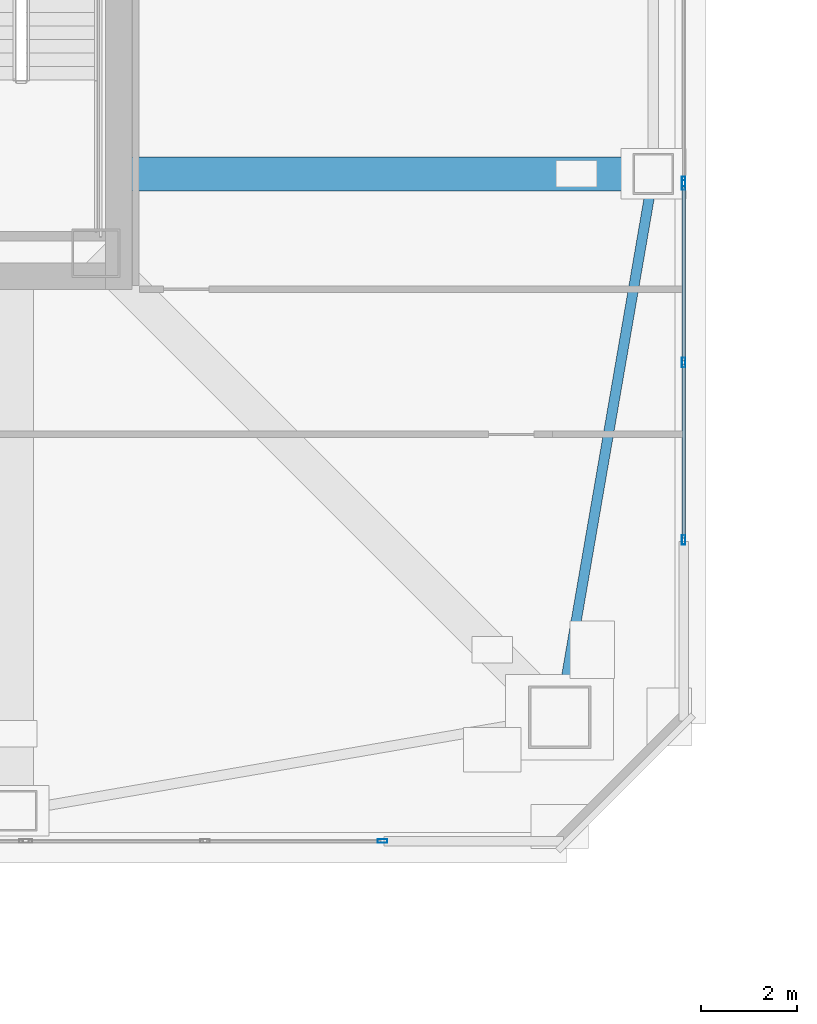
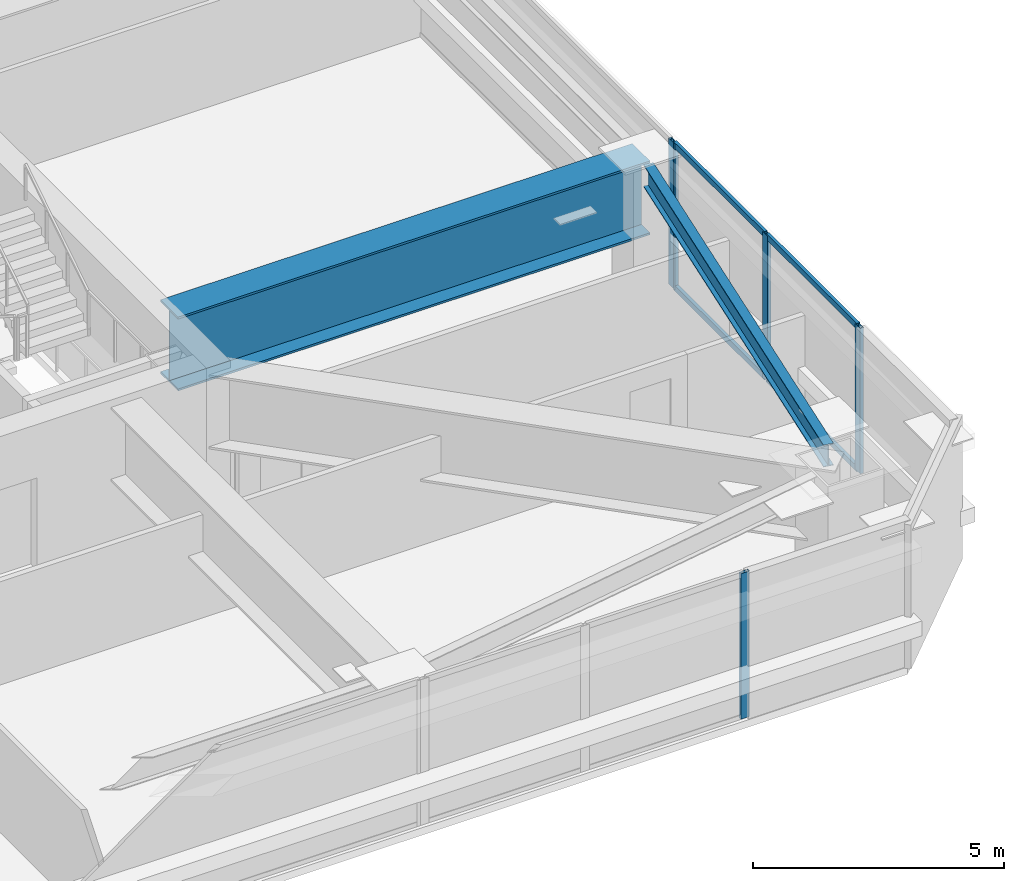
# One storey, part 9 of 42: 9 members, 2 beams, 3 elements without a shape of their own.
"""IFC4 building model written with IfcOpenShell, lengths in metres."""

from ifc_helpers import new_model, si_unit, direction, frame, origin, origin_2d, place, context, subcontext, project, spatial, hollow_rectangle, i_section, extrude, material, material_profile, profile_set, type_object, element, aggregate, save


model = new_model("IFC4")

# Units and contexts
model_context = context("Model", 3, precision=1e-05, world=origin(), true_north=direction((0.0, 1.0)))
body_context = subcontext(model_context, "Body", "Model", "MODEL_VIEW")
ifc_project = project(units=[si_unit("LENGTHUNIT", "METRE"), si_unit("AREAUNIT", "SQUARE_METRE"), si_unit("VOLUMEUNIT", "CUBIC_METRE"), si_unit("PLANEANGLEUNIT", "RADIAN"), si_unit("MASSUNIT", "GRAM", prefix="KILO")], contexts=[model_context])

# Site, building, storey
site_placement = place(None, origin())
site = spatial("IfcSite", under=ifc_project, at=site_placement, CompositionType="ELEMENT")
building_placement = place(site_placement, origin())
building = spatial("IfcBuilding", under=site, at=building_placement, Name="Tashvorn Skyway Center", CompositionType="ELEMENT")
storey_placement = place(building_placement, frame((0.0, 0.0, 153.449951171875)))
storey = spatial("IfcBuildingStorey", under=building, at=storey_placement, Name="L41", CompositionType="ELEMENT", Elevation=153.449951171875)

# Beams
ifc_material_1 = material(Name="Steel ASTM A572 Grade 50", Category="steel")
ifc_material_profile_1 = material_profile(ifc_material_1, i_section(OverallWidth=0.699951171875, OverallDepth=1.800048828125, WebThickness=0.031982421875, FlangeThickness=0.050048828125, at=origin_2d()), Name="PG1800x700")
ifc_profile_set_1 = profile_set([ifc_material_profile_1], Name="Steel ASTM A572 Grade 50")
beam_type_1 = type_object("IfcBeamType", Name="BM-BEAM-PG1800x700", PredefinedType="BEAM", material=ifc_profile_set_1)
beam_1_placement = place(storey_placement, frame((60.64990234375, 26.60009765625, 2.469970703125), z_axis=(-1.0, 0.0, 0.0), x_axis=(0.0, -1.0, 0.0)))
element("IfcBeam", 1, at=beam_1_placement, inside=storey, type_object=beam_type_1, Name="Tower 1 L41 Setback Transfer Girder FC-E1", PredefinedType="BEAM", context=body_context, shape_type="SweptSolid", body=[
    extrude(i_section(OverallWidth=0.699951171875, OverallDepth=1.800048828125, WebThickness=0.031982421875, FlangeThickness=0.050048828125, at=origin_2d()), origin(), (0.0, 0.0, 1.0), 10.869873046875),
])
ifc_material_2 = material(Name="Steel ASTM A992 Grade 50", Category="steel")
ifc_material_profile_2 = material_profile(ifc_material_2, i_section(OverallWidth=0.2109375, OverallDepth=0.5390625, WebThickness=0.01171875, FlangeThickness=0.018798828125, at=origin_2d()), Name="W21X73")
ifc_profile_set_2 = profile_set([ifc_material_profile_2], Name="Steel ASTM A992 Grade 50")
beam_type_2 = type_object("IfcBeamType", Name="BM-SPANDREL-W21X73", PredefinedType="SPANDREL", material=ifc_profile_set_2)
beam_2_placement = place(storey_placement, frame((58.8095703125, 15.935546875, 3.1005859375), z_axis=(0.170067250846, 0.985432458462, 0.0), x_axis=(-0.985432458462, 0.170067250846, 0.0)))
element("IfcBeam", 2, at=beam_2_placement, inside=storey, type_object=beam_type_2, Name="Tower 1 L41 Spandrel Beam 04", PredefinedType="SPANDREL", context=body_context, shape_type="SweptSolid", body=[
    extrude(i_section(OverallWidth=0.2109375, OverallDepth=0.5390625, WebThickness=0.01171875, FlangeThickness=0.018798828125, at=origin_2d()), origin(), (0.0, 0.0, 1.0), 10.402099609375),
])

# Curtain wall, member
ifc_material_3 = material(Name="Thermally broken bronze-anodized aluminium 6063-T6", Category="aluminium")
curtain_wall_type = type_object("IfcCurtainWallType", Name="CW-CW-Z3", PredefinedType="NOTDEFINED", material=ifc_material_3)
curtain_wall_1_placement = place(storey_placement, origin())
curtain_wall_1 = element("IfcCurtainWall", 3, at=curtain_wall_1_placement, inside=storey, type_object=curtain_wall_type, Name="Tower 1 L41 South Unitised Curtain Wall Glazing Group 1", PredefinedType="NOTDEFINED")
ifc_material_profile_3 = material_profile(ifc_material_3, hollow_rectangle(XDim=0.074951171875, YDim=0.199951171875, WallThickness=0.00439453125, at=origin_2d()), Name="ALU-MULL-75x200")
ifc_profile_set_3 = profile_set([ifc_material_profile_3], Name="Thermally broken bronze-anodized aluminium 6063-T6")
member_type_1 = type_object("IfcMemberType", Name="CWM-CW-Z3", PredefinedType="MULLION", material=ifc_profile_set_3)
member_1_placement = place(storey_placement, frame((55.013671875, 12.719970703125, 0.0), z_axis=(0.0, 0.0, 1.0), x_axis=(0.0, -1.0, 0.0)))
member_1 = element("IfcMember", 4, at=member_1_placement, type_object=member_type_1, Name="CW-Z3 mullion 1", PredefinedType="MULLION", context=body_context, shape_type="SweptSolid", body=[
    extrude(hollow_rectangle(XDim=0.074951171875, YDim=0.199951171875, WallThickness=0.00439453125, at=origin_2d()), origin(), (0.0, 0.0, 1.0), 3.550048828125),
])
aggregate(curtain_wall_1, [member_1])

curtain_wall_2_placement = place(storey_placement, origin())
curtain_wall_2 = element("IfcCurtainWall", 5, at=curtain_wall_2_placement, inside=storey, type_object=curtain_wall_type, Name="Tower 1 L41 East Unitised Curtain Wall Glazing Group 2", PredefinedType="NOTDEFINED")
member_2_placement = place(storey_placement, frame((61.280029296875, 26.444091796875, 0.0), z_axis=(0.0, 0.0, 1.0), x_axis=(1.0, 0.0, 0.0)))
member_2 = element("IfcMember", 6, at=member_2_placement, type_object=member_type_1, Name="CW-Z3 mullion 2", PredefinedType="MULLION", context=body_context, shape_type="SweptSolid", body=[
    extrude(hollow_rectangle(XDim=0.074951171875, YDim=0.199951171875, WallThickness=0.00439453125, at=origin_2d()), origin(), (0.0, 0.0, 1.0), 3.550048828125),
])
aggregate(curtain_wall_2, [member_2])

# Curtain wall, members
curtain_wall_3_placement = place(storey_placement, origin())
curtain_wall_3 = element("IfcCurtainWall", 7, at=curtain_wall_3_placement, inside=storey, type_object=curtain_wall_type, Name="Tower 1 L41 East Unitised Curtain Wall Glazing Group 3", PredefinedType="NOTDEFINED")
member_3_placement = place(storey_placement, frame((61.280029296875, 26.369140625, 0.0), z_axis=(0.0, 0.0, 1.0), x_axis=(1.0, 0.0, 0.0)))
member_3 = element("IfcMember", 8, at=member_3_placement, type_object=member_type_1, Name="CW-Z3 mullion 1", PredefinedType="MULLION", context=body_context, shape_type="SweptSolid", body=[
    extrude(hollow_rectangle(XDim=0.074951171875, YDim=0.199951171875, WallThickness=0.00439453125, at=origin_2d()), origin(), (0.0, 0.0, 1.0), 3.550048828125),
])
member_4_placement = place(storey_placement, frame((61.280029296875, 22.677734375, 0.0), z_axis=(0.0, 0.0, 1.0), x_axis=(1.0, 0.0, 0.0)))
member_4 = element("IfcMember", 9, at=member_4_placement, type_object=member_type_1, Name="CW-Z3 mullion 2", PredefinedType="MULLION", context=body_context, shape_type="SweptSolid", body=[
    extrude(hollow_rectangle(XDim=0.074951171875, YDim=0.199951171875, WallThickness=0.00439453125, at=origin_2d()), origin(), (0.0, 0.0, 1.0), 3.550048828125),
])
member_5_placement = place(storey_placement, frame((61.280029296875, 18.986328125, 0.0), z_axis=(0.0, 0.0, 1.0), x_axis=(1.0, 0.0, 0.0)))
member_5 = element("IfcMember", 10, at=member_5_placement, type_object=member_type_1, Name="CW-Z3 mullion 3", PredefinedType="MULLION", context=body_context, shape_type="SweptSolid", body=[
    extrude(hollow_rectangle(XDim=0.074951171875, YDim=0.199951171875, WallThickness=0.00439453125, at=origin_2d()), origin(), (0.0, 0.0, 1.0), 3.550048828125),
])
ifc_material_profile_4 = material_profile(ifc_material_3, hollow_rectangle(XDim=0.074951171875, YDim=0.139892578125, WallThickness=0.004150390625, at=origin_2d()), Name="ALU-TRAN-75x140")
ifc_profile_set_4 = profile_set([ifc_material_profile_4], Name="Thermally broken bronze-anodized aluminium 6063-T6")
member_type_2 = type_object("IfcMemberType", Name="CWT-CW-Z3", PredefinedType="USERDEFINED", material=ifc_profile_set_4)
member_6_placement = place(storey_placement, frame((61.280029296875, 26.331787109375, 0.03759765625), z_axis=(0.0, -1.0, 0.0), x_axis=(1.0, 0.0, 0.0)))
member_6 = element("IfcMember", 11, at=member_6_placement, type_object=member_type_2, Name="CW-Z3 transom 1.1", ObjectType="TRANSOM", PredefinedType="USERDEFINED", context=body_context, shape_type="SweptSolid", body=[
    extrude(hollow_rectangle(XDim=0.074951171875, YDim=0.139892578125, WallThickness=0.004150390625, at=origin_2d()), origin(), (0.0, 0.0, 1.0), 3.616455078125),
])
member_7_placement = place(storey_placement, frame((61.280029296875, 26.331787109375, 3.512451171875), z_axis=(0.0, -1.0, 0.0), x_axis=(1.0, 0.0, 0.0)))
member_7 = element("IfcMember", 12, at=member_7_placement, type_object=member_type_2, Name="CW-Z3 transom 1.2", ObjectType="TRANSOM", PredefinedType="USERDEFINED", context=body_context, shape_type="SweptSolid", body=[
    extrude(hollow_rectangle(XDim=0.074951171875, YDim=0.139892578125, WallThickness=0.004150390625, at=origin_2d()), origin(), (0.0, 0.0, 1.0), 3.616455078125),
])
member_8_placement = place(storey_placement, frame((61.280029296875, 22.640380859375, 0.03759765625), z_axis=(0.0, -1.0, 0.0), x_axis=(1.0, 0.0, 0.0)))
member_8 = element("IfcMember", 13, at=member_8_placement, type_object=member_type_2, Name="CW-Z3 transom 2.1", ObjectType="TRANSOM", PredefinedType="USERDEFINED", context=body_context, shape_type="SweptSolid", body=[
    extrude(hollow_rectangle(XDim=0.074951171875, YDim=0.139892578125, WallThickness=0.004150390625, at=origin_2d()), origin(), (0.0, 0.0, 1.0), 3.616455078125),
])
member_9_placement = place(storey_placement, frame((61.280029296875, 22.640380859375, 3.512451171875), z_axis=(0.0, -1.0, 0.0), x_axis=(1.0, 0.0, 0.0)))
member_9 = element("IfcMember", 14, at=member_9_placement, type_object=member_type_2, Name="CW-Z3 transom 2.2", ObjectType="TRANSOM", PredefinedType="USERDEFINED", context=body_context, shape_type="SweptSolid", body=[
    extrude(hollow_rectangle(XDim=0.074951171875, YDim=0.139892578125, WallThickness=0.004150390625, at=origin_2d()), origin(), (0.0, 0.0, 1.0), 3.616455078125),
])
aggregate(curtain_wall_3, [member_3, member_4, member_5, member_6, member_7, member_8, member_9])

save(model, "model.ifc")
